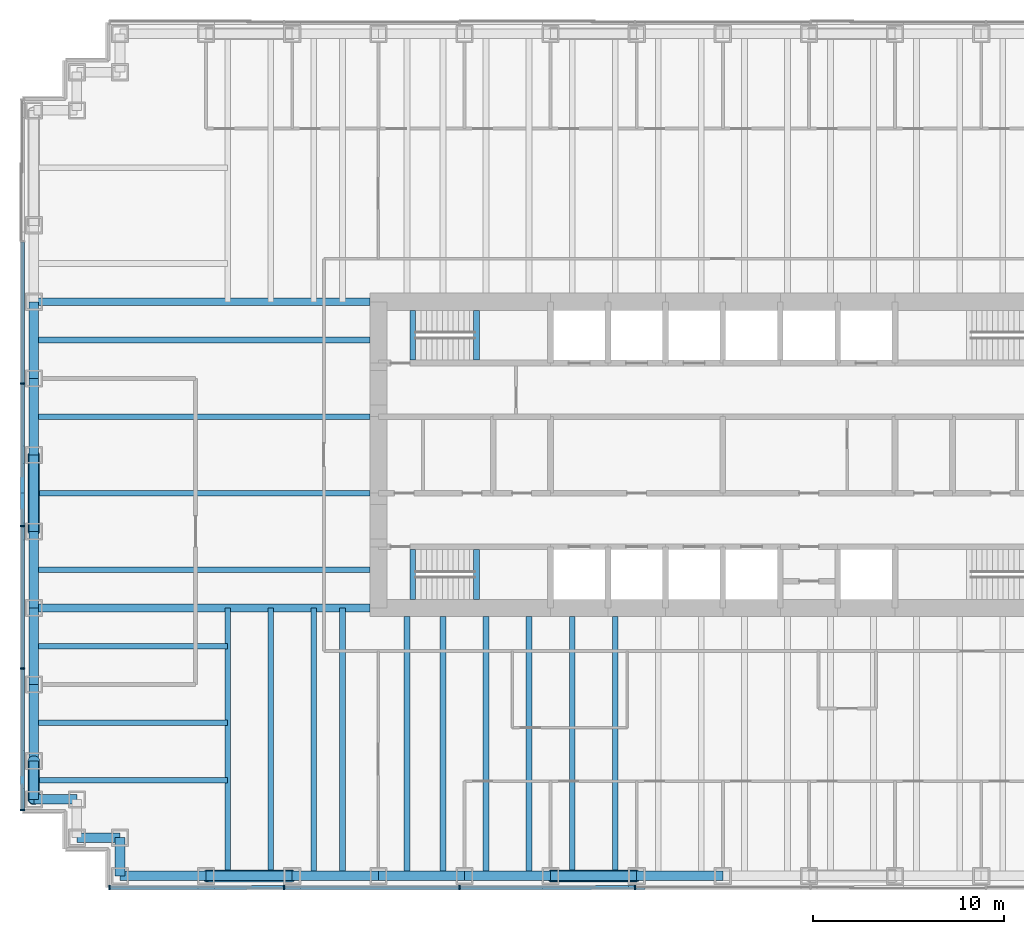
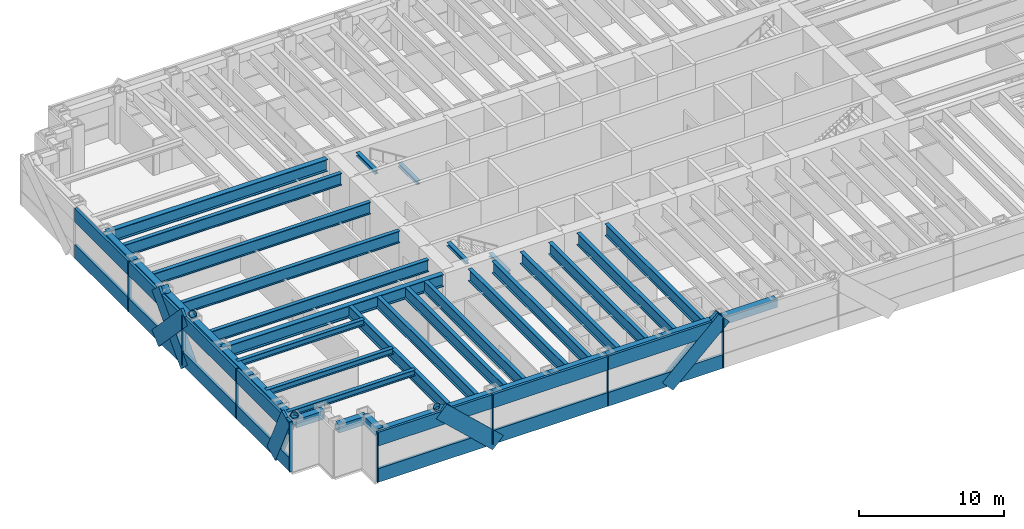
# One storey, part 2 of 16: 40 beams, 32 members, 2 elements without a shape of their own.
"""IFC4 building model written with IfcOpenShell, lengths in metres."""

from ifc_helpers import new_model, si_unit, direction, frame, origin, origin_2d, place, context, subcontext, project, spatial, rectangle, hollow_rectangle, hollow_circle, i_section, extrude, material, material_profile, profile_set, type_object, element, aggregate, save


model = new_model("IFC4")

# Units and contexts
model_context = context("Model", 3, precision=1e-05, world=origin(), true_north=direction((0.0, 1.0)))
body_context = subcontext(model_context, "Body", "Model", "MODEL_VIEW")
ifc_project = project(units=[si_unit("LENGTHUNIT", "METRE"), si_unit("AREAUNIT", "SQUARE_METRE"), si_unit("VOLUMEUNIT", "CUBIC_METRE"), si_unit("PLANEANGLEUNIT", "RADIAN"), si_unit("MASSUNIT", "GRAM", prefix="KILO")], contexts=[model_context])

# Site, building, storey
site_placement = place(None, origin())
site = spatial("IfcSite", under=ifc_project, at=site_placement, CompositionType="ELEMENT")
building_placement = place(site_placement, origin())
building = spatial("IfcBuilding", under=site, at=building_placement, Name="Rheinbord Bourse Tower", CompositionType="ELEMENT")
storey_placement = place(building_placement, frame((0.0, 0.0, 176.10009765625)))
storey = spatial("IfcBuildingStorey", under=building, at=storey_placement, Name="L39", CompositionType="ELEMENT", Elevation=176.10009765625)

# Beams
ifc_material_1 = material(Name="Steel S460M", Category="steel")
ifc_material_profile_1 = material_profile(ifc_material_1, hollow_rectangle(XDim=0.5, YDim=0.699951171875, WallThickness=0.0400390625, at=origin_2d()), Name="BOX 700x500x40")
ifc_profile_set_1 = profile_set([ifc_material_profile_1], Name="Steel S460M")
beam_type_1 = type_object("IfcBeamType", Name="BELT CHORD BOX 700x500x40", PredefinedType="SPANDREL", material=ifc_profile_set_1)
for number, where, z_axis, x_axis, name in (
    (1, (4.5, 2.0, 3.599853515625), (1.0, 0.0, 0.0), (0.0, 1.0, 0.0), "Spandrel SW-E-S-9 under L40"),
    (2, (9.0, 2.0, 3.599853515625), (1.0, 0.0, 0.0), (0.0, 1.0, 0.0), "Spandrel S-9-S-13.5 under L40"),
    (3, (13.5, 2.0, 3.599853515625), (1.0, 0.0, 0.0), (0.0, 1.0, 0.0), "Spandrel S-13.5-S-18 under L40"),
    (4, (18.0, 2.0, 3.599853515625), (1.0, 0.0, 0.0), (0.0, 1.0, 0.0), "Spandrel S-18-S-22.5 under L40"),
    (5, (22.5, 2.0, 3.599853515625), (1.0, 0.0, 0.0), (0.0, 1.0, 0.0), "Spandrel S-22.5-S-27 under L40"),
    (6, (27.0, 2.0, 3.599853515625), (1.0, 0.0, 0.0), (0.0, 1.0, 0.0), "Spandrel S-27-S-31.5 under L40"),
    (7, (31.5, 2.0, 3.599853515625), (1.0, 0.0, 0.0), (0.0, 1.0, 0.0), "Spandrel S-31.5-S-36 under L40"),
):
    element("IfcBeam", number, at=place(storey_placement, frame(where, z_axis=z_axis, x_axis=x_axis)), inside=storey, type_object=beam_type_1, Name=name, PredefinedType="SPANDREL", context=body_context, shape_type="SweptSolid", body=[
        extrude(hollow_rectangle(XDim=0.5, YDim=0.699951171875, WallThickness=0.0400390625, at=origin_2d()), origin(), (0.0, 0.0, 1.0), 4.5),
    ])
for number, where, z_axis, x_axis, name in (
    (8, (0.0, 32.0, 3.599853515625), (0.0, -1.0, 0.0), (1.0, 0.0, 0.0), "Spandrel W-32-W-28 under L40"),
    (9, (0.0, 28.0, 3.599853515625), (0.0, -1.0, 0.0), (1.0, 0.0, 0.0), "Spandrel W-28-W-24 under L40"),
    (10, (0.0, 24.0, 3.599853515625), (0.0, -1.0, 0.0), (1.0, 0.0, 0.0), "Spandrel W-24-W-20 under L40"),
    (11, (0.0, 20.0, 3.599853515625), (0.0, -1.0, 0.0), (1.0, 0.0, 0.0), "Spandrel W-20-W-16 under L40"),
    (12, (0.0, 16.0, 3.599853515625), (0.0, -1.0, 0.0), (1.0, 0.0, 0.0), "Spandrel W-16-W-12 under L40"),
    (13, (0.0, 12.0, 3.599853515625), (0.0, -1.0, 0.0), (1.0, 0.0, 0.0), "Spandrel W-12-W-8 under L40"),
):
    element("IfcBeam", number, at=place(storey_placement, frame(where, z_axis=z_axis, x_axis=x_axis)), inside=storey, type_object=beam_type_1, Name=name, PredefinedType="SPANDREL", context=body_context, shape_type="SweptSolid", body=[
        extrude(hollow_rectangle(XDim=0.5, YDim=0.699951171875, WallThickness=0.0400390625, at=origin_2d()), origin(), (0.0, 0.0, 1.0), 4.0),
    ])
beam_1_placement = place(storey_placement, frame((0.0, 8.0, 3.599853515625), z_axis=(0.0, -1.0, 0.0), x_axis=(1.0, 0.0, 0.0)))
element("IfcBeam", 14, at=beam_1_placement, inside=storey, type_object=beam_type_1, Name="Spandrel W-8-SW-A under L40", PredefinedType="SPANDREL", context=body_context, shape_type="SweptSolid", body=[
    extrude(hollow_rectangle(XDim=0.5, YDim=0.699951171875, WallThickness=0.0400390625, at=origin_2d()), origin(), (0.0, 0.0, 1.0), 2.0),
])
for number, where, z_axis, x_axis, name in (
    (15, (0.0, 6.0, 3.599853515625), (1.0, 0.0, 0.0), (0.0, 1.0, 0.0), "Spandrel SW-A-SW-B under L40"),
    (16, (2.25, 4.0, 3.599853515625), (1.0, 0.0, 0.0), (0.0, 1.0, 0.0), "Spandrel SW-C-SW-D under L40"),
):
    element("IfcBeam", number, at=place(storey_placement, frame(where, z_axis=z_axis, x_axis=x_axis)), inside=storey, type_object=beam_type_1, Name=name, PredefinedType="SPANDREL", context=body_context, shape_type="SweptSolid", body=[
        extrude(hollow_rectangle(XDim=0.5, YDim=0.699951171875, WallThickness=0.0400390625, at=origin_2d()), origin(), (0.0, 0.0, 1.0), 2.25),
    ])
beam_2_placement = place(storey_placement, frame((4.5, 4.0, 3.599853515625), z_axis=(0.0, -1.0, 0.0), x_axis=(1.0, 0.0, 0.0)))
element("IfcBeam", 17, at=beam_2_placement, inside=storey, type_object=beam_type_1, Name="Spandrel SW-D-SW-E under L40", PredefinedType="SPANDREL", context=body_context, shape_type="SweptSolid", body=[
    extrude(hollow_rectangle(XDim=0.5, YDim=0.699951171875, WallThickness=0.0400390625, at=origin_2d()), origin(), (0.0, 0.0, 1.0), 2.0),
])

# Curtain wall, members
ifc_material_2 = material(Name="Dark glass and black aluminium", Category="aluminium")
curtain_wall_type = type_object("IfcCurtainWallType", Name="CW5 DARK GLASS CURTAIN WALL", PredefinedType="USERDEFINED", material=ifc_material_2)
curtain_wall_1_placement = place(storey_placement, origin())
curtain_wall_1 = element("IfcCurtainWall", 18, at=curtain_wall_1_placement, inside=storey, type_object=curtain_wall_type, Name="Curtain wall CW5 S L39", ObjectType="UNITISED CURTAIN WALL", PredefinedType="USERDEFINED")
ifc_material_3 = material(Name="Black anodised aluminium", Category="aluminium")
ifc_material_profile_2 = material_profile(ifc_material_3, rectangle(XDim=0.199951171875, YDim=1.259033203125, at=origin_2d()), Name="CW5 DIAGONAL MULLION 1259x200")
ifc_profile_set_2 = profile_set([ifc_material_profile_2], Name="Black anodised aluminium")
member_type_1 = type_object("IfcMemberType", Name="CW5 BLACK DIAGONAL MULLION", PredefinedType="USERDEFINED", material=ifc_profile_set_2)
member_1_placement = place(storey_placement, frame((13.5, 1.39990234375, 0.0), z_axis=(-0.73105922506, 0.0, 0.682314010889), x_axis=(0.0, -1.0, 0.0)))
member_1 = element("IfcMember", 19, at=member_1_placement, type_object=member_type_1, Name="CW5 diagonal mullion b", ObjectType="DIAGONAL MULLION", PredefinedType="USERDEFINED", context=body_context, shape_type="SweptSolid", body=[
    extrude(rectangle(XDim=0.199951171875, YDim=1.259033203125, at=origin_2d()), origin(), (0.0, 0.0, 1.0), 6.155517578125),
])
member_2_placement = place(storey_placement, frame((27.0, 1.39990234375, 0.0), z_axis=(0.73105922506, 0.0, 0.682314010889), x_axis=(0.0, 1.0, 0.0)))
member_2 = element("IfcMember", 20, at=member_2_placement, type_object=member_type_1, Name="CW5 diagonal mullion d", ObjectType="DIAGONAL MULLION", PredefinedType="USERDEFINED", context=body_context, shape_type="SweptSolid", body=[
    extrude(rectangle(XDim=0.199951171875, YDim=1.259033203125, at=origin_2d()), origin(), (0.0, 0.0, 1.0), 6.155517578125),
])

curtain_wall_2_placement = place(storey_placement, origin())
curtain_wall_2 = element("IfcCurtainWall", 21, at=curtain_wall_2_placement, inside=storey, type_object=curtain_wall_type, Name="Curtain wall CW5 W L39", ObjectType="UNITISED CURTAIN WALL", PredefinedType="USERDEFINED")
member_3_placement = place(storey_placement, frame((-0.60009765625, 20.0, 0.0), z_axis=(0.0, 0.689659376744, 0.724133926887), x_axis=(-1.0, 0.0, 0.0)))
member_3 = element("IfcMember", 22, at=member_3_placement, type_object=member_type_1, Name="CW5 diagonal mullion a", ObjectType="DIAGONAL MULLION", PredefinedType="USERDEFINED", context=body_context, shape_type="SweptSolid", body=[
    extrude(rectangle(XDim=0.199951171875, YDim=1.259033203125, at=origin_2d()), origin(), (0.0, 0.0, 1.0), 5.800048828125),
])
member_4_placement = place(storey_placement, frame((-0.60009765625, 24.0, 0.0), z_axis=(0.0, -0.689659376744, 0.724133926887), x_axis=(1.0, 0.0, 0.0)))
member_4 = element("IfcMember", 23, at=member_4_placement, type_object=member_type_1, Name="CW5 diagonal mullion b", ObjectType="DIAGONAL MULLION", PredefinedType="USERDEFINED", context=body_context, shape_type="SweptSolid", body=[
    extrude(rectangle(XDim=0.199951171875, YDim=1.259033203125, at=origin_2d()), origin(), (0.0, 0.0, 1.0), 5.800048828125),
])
member_5_placement = place(storey_placement, frame((-0.60009765625, 8.0, 0.0), z_axis=(0.0, -0.429937654825, 0.902858578607), x_axis=(1.0, 0.0, 0.0)))
member_5 = element("IfcMember", 24, at=member_5_placement, type_object=member_type_1, Name="CW5 diagonal mullion d", ObjectType="DIAGONAL MULLION", PredefinedType="USERDEFINED", context=body_context, shape_type="SweptSolid", body=[
    extrude(rectangle(XDim=0.199951171875, YDim=1.259033203125, at=origin_2d()), origin(), (0.0, 0.0, 1.0), 4.65185546875),
])

# Member
ifc_material_4 = material(Name="Black anodised aluminium", Category="aluminium")
ifc_material_profile_3 = material_profile(ifc_material_4, rectangle(XDim=0.25, YDim=0.080078125, at=origin_2d()), Name="CW5 MULLION 80x250")
ifc_profile_set_3 = profile_set([ifc_material_profile_3], Name="Black anodised aluminium")
member_type_2 = type_object("IfcMemberType", Name="CW5 BLACK MULLION", PredefinedType="MULLION", material=ifc_profile_set_3)
member_6_placement = place(storey_placement, frame((3.93994140625, 1.39990234375, 0.0), z_axis=(0.0, 0.0, 1.0), x_axis=(0.0, 1.0, 0.0)))
member_6 = element("IfcMember", 25, at=member_6_placement, type_object=member_type_2, Name="CW5 mullion 1", PredefinedType="MULLION", context=body_context, shape_type="SweptSolid", body=[
    extrude(rectangle(XDim=0.25, YDim=0.080078125, at=origin_2d()), origin(), (0.0, 0.0, 1.0), 4.199951171875),
])

member_7_placement = place(storey_placement, frame((13.071533203125, 1.39990234375, 0.0), z_axis=(0.0, 0.0, 1.0), x_axis=(0.0, 1.0, 0.0)))
member_7 = element("IfcMember", 26, at=member_7_placement, type_object=member_type_2, Name="CW5 mullion 2", PredefinedType="MULLION", context=body_context, shape_type="SweptSolid", body=[
    extrude(rectangle(XDim=0.25, YDim=0.080078125, at=origin_2d()), origin(), (0.0, 0.0, 1.0), 4.199951171875),
])

member_8_placement = place(storey_placement, frame((22.242919921875, 1.39990234375, 0.0), z_axis=(0.0, 0.0, 1.0), x_axis=(0.0, 1.0, 0.0)))
member_8 = element("IfcMember", 27, at=member_8_placement, type_object=member_type_2, Name="CW5 mullion 3", PredefinedType="MULLION", context=body_context, shape_type="SweptSolid", body=[
    extrude(rectangle(XDim=0.25, YDim=0.080078125, at=origin_2d()), origin(), (0.0, 0.0, 1.0), 4.199951171875),
])

member_9_placement = place(storey_placement, frame((31.414306640625, 1.39990234375, 0.0), z_axis=(0.0, 0.0, 1.0), x_axis=(0.0, 1.0, 0.0)))
member_9 = element("IfcMember", 28, at=member_9_placement, type_object=member_type_2, Name="CW5 mullion 4", PredefinedType="MULLION", context=body_context, shape_type="SweptSolid", body=[
    extrude(rectangle(XDim=0.25, YDim=0.080078125, at=origin_2d()), origin(), (0.0, 0.0, 1.0), 4.199951171875),
])

member_10_placement = place(storey_placement, frame((-0.60009765625, 27.719970703125, 0.0), z_axis=(0.0, 0.0, 1.0), x_axis=(1.0, 0.0, 0.0)))
member_10 = element("IfcMember", 29, at=member_10_placement, type_object=member_type_2, Name="CW5 mullion 3", PredefinedType="MULLION", context=body_context, shape_type="SweptSolid", body=[
    extrude(rectangle(XDim=0.25, YDim=0.080078125, at=origin_2d()), origin(), (0.0, 0.0, 1.0), 4.199951171875),
])

member_11_placement = place(storey_placement, frame((-0.60009765625, 20.280029296875, 0.0), z_axis=(0.0, 0.0, 1.0), x_axis=(1.0, 0.0, 0.0)))
member_11 = element("IfcMember", 30, at=member_11_placement, type_object=member_type_2, Name="CW5 mullion 4", PredefinedType="MULLION", context=body_context, shape_type="SweptSolid", body=[
    extrude(rectangle(XDim=0.25, YDim=0.080078125, at=origin_2d()), origin(), (0.0, 0.0, 1.0), 4.199951171875),
])

member_12_placement = place(storey_placement, frame((-0.60009765625, 12.840087890625, 0.0), z_axis=(0.0, 0.0, 1.0), x_axis=(1.0, 0.0, 0.0)))
member_12 = element("IfcMember", 31, at=member_12_placement, type_object=member_type_2, Name="CW5 mullion 5", PredefinedType="MULLION", context=body_context, shape_type="SweptSolid", body=[
    extrude(rectangle(XDim=0.25, YDim=0.080078125, at=origin_2d()), origin(), (0.0, 0.0, 1.0), 4.199951171875),
])

member_13_placement = place(storey_placement, frame((-0.60009765625, 5.43994140625, 0.0), z_axis=(0.0, 0.0, 1.0), x_axis=(1.0, 0.0, 0.0)))
member_13 = element("IfcMember", 32, at=member_13_placement, type_object=member_type_2, Name="CW5 mullion 6", PredefinedType="MULLION", context=body_context, shape_type="SweptSolid", body=[
    extrude(rectangle(XDim=0.25, YDim=0.080078125, at=origin_2d()), origin(), (0.0, 0.0, 1.0), 4.199951171875),
])

ifc_material_5 = material(Name="Black anodised aluminium", Category="aluminium")
ifc_material_profile_4 = material_profile(ifc_material_5, rectangle(XDim=0.199951171875, YDim=1.14990234375, at=origin_2d()), Name="CW5 TRANSOM 1150x200")
ifc_profile_set_4 = profile_set([ifc_material_profile_4], Name="Black anodised aluminium")
member_type_3 = type_object("IfcMemberType", Name="CW5 BLACK TRANSOM", PredefinedType="USERDEFINED", material=ifc_profile_set_4)
member_14_placement = place(storey_placement, frame((3.97998046875, 1.39990234375, 0.574951171875), z_axis=(1.0, 0.0, 0.0), x_axis=(0.0, 1.0, 0.0)))
member_14 = element("IfcMember", 33, at=member_14_placement, type_object=member_type_3, Name="CW5 transom 1.1", ObjectType="TRANSOM", PredefinedType="USERDEFINED", context=body_context, shape_type="SweptSolid", body=[
    extrude(rectangle(XDim=0.199951171875, YDim=1.14990234375, at=origin_2d()), origin(), (0.0, 0.0, 1.0), 9.051513671875),
])

member_15_placement = place(storey_placement, frame((3.97998046875, 1.39990234375, 3.625), z_axis=(1.0, 0.0, 0.0), x_axis=(0.0, 1.0, 0.0)))
member_15 = element("IfcMember", 34, at=member_15_placement, type_object=member_type_3, Name="CW5 transom 1.2", ObjectType="TRANSOM", PredefinedType="USERDEFINED", context=body_context, shape_type="SweptSolid", body=[
    extrude(rectangle(XDim=0.199951171875, YDim=1.14990234375, at=origin_2d()), origin(), (0.0, 0.0, 1.0), 9.051513671875),
])

member_16_placement = place(storey_placement, frame((13.111328125, 1.39990234375, 0.574951171875), z_axis=(1.0, 0.0, 0.0), x_axis=(0.0, 1.0, 0.0)))
member_16 = element("IfcMember", 35, at=member_16_placement, type_object=member_type_3, Name="CW5 transom 2.1", ObjectType="TRANSOM", PredefinedType="USERDEFINED", context=body_context, shape_type="SweptSolid", body=[
    extrude(rectangle(XDim=0.199951171875, YDim=1.14990234375, at=origin_2d()), origin(), (0.0, 0.0, 1.0), 9.091552734375),
])

member_17_placement = place(storey_placement, frame((13.111328125, 1.39990234375, 3.625), z_axis=(1.0, 0.0, 0.0), x_axis=(0.0, 1.0, 0.0)))
member_17 = element("IfcMember", 36, at=member_17_placement, type_object=member_type_3, Name="CW5 transom 2.2", ObjectType="TRANSOM", PredefinedType="USERDEFINED", context=body_context, shape_type="SweptSolid", body=[
    extrude(rectangle(XDim=0.199951171875, YDim=1.14990234375, at=origin_2d()), origin(), (0.0, 0.0, 1.0), 9.091552734375),
])

member_18_placement = place(storey_placement, frame((22.282958984375, 1.39990234375, 0.574951171875), z_axis=(1.0, 0.0, 0.0), x_axis=(0.0, 1.0, 0.0)))
member_18 = element("IfcMember", 37, at=member_18_placement, type_object=member_type_3, Name="CW5 transom 3.1", ObjectType="TRANSOM", PredefinedType="USERDEFINED", context=body_context, shape_type="SweptSolid", body=[
    extrude(rectangle(XDim=0.199951171875, YDim=1.14990234375, at=origin_2d()), origin(), (0.0, 0.0, 1.0), 9.09130859375),
])

member_19_placement = place(storey_placement, frame((22.282958984375, 1.39990234375, 3.625), z_axis=(1.0, 0.0, 0.0), x_axis=(0.0, 1.0, 0.0)))
member_19 = element("IfcMember", 38, at=member_19_placement, type_object=member_type_3, Name="CW5 transom 3.2", ObjectType="TRANSOM", PredefinedType="USERDEFINED", context=body_context, shape_type="SweptSolid", body=[
    extrude(rectangle(XDim=0.199951171875, YDim=1.14990234375, at=origin_2d()), origin(), (0.0, 0.0, 1.0), 9.09130859375),
])

aggregate(curtain_wall_1, [member_6, member_7, member_8, member_9, member_14, member_15, member_16, member_17, member_18, member_19, member_1, member_2])

member_20_placement = place(storey_placement, frame((-0.60009765625, 35.1201171875, 0.574951171875), z_axis=(0.0, -1.0, 0.0), x_axis=(1.0, 0.0, 0.0)))
member_20 = element("IfcMember", 39, at=member_20_placement, type_object=member_type_3, Name="CW5 transom 2.1", ObjectType="TRANSOM", PredefinedType="USERDEFINED", context=body_context, shape_type="SweptSolid", body=[
    extrude(rectangle(XDim=0.199951171875, YDim=1.14990234375, at=origin_2d()), origin(), (0.0, 0.0, 1.0), 7.360107421875),
])

member_21_placement = place(storey_placement, frame((-0.60009765625, 35.1201171875, 3.625), z_axis=(0.0, -1.0, 0.0), x_axis=(1.0, 0.0, 0.0)))
member_21 = element("IfcMember", 40, at=member_21_placement, type_object=member_type_3, Name="CW5 transom 2.2", ObjectType="TRANSOM", PredefinedType="USERDEFINED", context=body_context, shape_type="SweptSolid", body=[
    extrude(rectangle(XDim=0.199951171875, YDim=1.14990234375, at=origin_2d()), origin(), (0.0, 0.0, 1.0), 7.360107421875),
])

member_22_placement = place(storey_placement, frame((-0.60009765625, 27.679931640625, 0.574951171875), z_axis=(0.0, -1.0, 0.0), x_axis=(1.0, 0.0, 0.0)))
member_22 = element("IfcMember", 41, at=member_22_placement, type_object=member_type_3, Name="CW5 transom 3.1", ObjectType="TRANSOM", PredefinedType="USERDEFINED", context=body_context, shape_type="SweptSolid", body=[
    extrude(rectangle(XDim=0.199951171875, YDim=1.14990234375, at=origin_2d()), origin(), (0.0, 0.0, 1.0), 7.35986328125),
])

member_23_placement = place(storey_placement, frame((-0.60009765625, 27.679931640625, 3.625), z_axis=(0.0, -1.0, 0.0), x_axis=(1.0, 0.0, 0.0)))
member_23 = element("IfcMember", 42, at=member_23_placement, type_object=member_type_3, Name="CW5 transom 3.2", ObjectType="TRANSOM", PredefinedType="USERDEFINED", context=body_context, shape_type="SweptSolid", body=[
    extrude(rectangle(XDim=0.199951171875, YDim=1.14990234375, at=origin_2d()), origin(), (0.0, 0.0, 1.0), 7.35986328125),
])

member_24_placement = place(storey_placement, frame((-0.60009765625, 20.239990234375, 0.574951171875), z_axis=(0.0, -1.0, 0.0), x_axis=(1.0, 0.0, 0.0)))
member_24 = element("IfcMember", 43, at=member_24_placement, type_object=member_type_3, Name="CW5 transom 4.1", ObjectType="TRANSOM", PredefinedType="USERDEFINED", context=body_context, shape_type="SweptSolid", body=[
    extrude(rectangle(XDim=0.199951171875, YDim=1.14990234375, at=origin_2d()), origin(), (0.0, 0.0, 1.0), 7.360107421875),
])

member_25_placement = place(storey_placement, frame((-0.60009765625, 20.239990234375, 3.625), z_axis=(0.0, -1.0, 0.0), x_axis=(1.0, 0.0, 0.0)))
member_25 = element("IfcMember", 44, at=member_25_placement, type_object=member_type_3, Name="CW5 transom 4.2", ObjectType="TRANSOM", PredefinedType="USERDEFINED", context=body_context, shape_type="SweptSolid", body=[
    extrude(rectangle(XDim=0.199951171875, YDim=1.14990234375, at=origin_2d()), origin(), (0.0, 0.0, 1.0), 7.360107421875),
])

member_26_placement = place(storey_placement, frame((-0.60009765625, 12.800048828125, 0.574951171875), z_axis=(0.0, -1.0, 0.0), x_axis=(1.0, 0.0, 0.0)))
member_26 = element("IfcMember", 45, at=member_26_placement, type_object=member_type_3, Name="CW5 transom 5.1", ObjectType="TRANSOM", PredefinedType="USERDEFINED", context=body_context, shape_type="SweptSolid", body=[
    extrude(rectangle(XDim=0.199951171875, YDim=1.14990234375, at=origin_2d()), origin(), (0.0, 0.0, 1.0), 7.320068359375),
])

member_27_placement = place(storey_placement, frame((-0.60009765625, 12.800048828125, 3.625), z_axis=(0.0, -1.0, 0.0), x_axis=(1.0, 0.0, 0.0)))
member_27 = element("IfcMember", 46, at=member_27_placement, type_object=member_type_3, Name="CW5 transom 5.2", ObjectType="TRANSOM", PredefinedType="USERDEFINED", context=body_context, shape_type="SweptSolid", body=[
    extrude(rectangle(XDim=0.199951171875, YDim=1.14990234375, at=origin_2d()), origin(), (0.0, 0.0, 1.0), 7.320068359375),
])

aggregate(curtain_wall_2, [member_10, member_11, member_12, member_13, member_20, member_21, member_22, member_23, member_24, member_25, member_26, member_27, member_3, member_4, member_5])

# Beams
ifc_material_6 = material(Name="Steel S460", Category="steel")
ifc_material_profile_5 = material_profile(ifc_material_6, i_section(OverallWidth=0.302001953125, OverallDepth=1.008056640625, WebThickness=0.02099609375, FlangeThickness=0.0400390625, at=origin_2d()), Name="HEM 1000")
ifc_profile_set_5 = profile_set([ifc_material_profile_5], Name="Steel S460")
beam_type_2 = type_object("IfcBeamType", Name="END BEAM HEM 1000", PredefinedType="BEAM", material=ifc_profile_set_5)
for number, where, z_axis, x_axis, name in (
    (47, (0.0, 18.0, 3.44580078125), (1.0, 0.0, 0.0), (0.0, 1.0, 0.0), "End beam west 18 L40"),
    (48, (0.0, 22.0, 3.44580078125), (1.0, 0.0, 0.0), (0.0, 1.0, 0.0), "End beam west 22 L40"),
    (49, (0.0, 26.0, 3.44580078125), (1.0, 0.0, 0.0), (0.0, 1.0, 0.0), "End beam west 26 L40"),
    (50, (0.0, 30.0, 3.44580078125), (1.0, 0.0, 0.0), (0.0, 1.0, 0.0), "End beam west 30 L40"),
):
    element("IfcBeam", number, at=place(storey_placement, frame(where, z_axis=z_axis, x_axis=x_axis)), inside=storey, type_object=beam_type_2, Name=name, PredefinedType="BEAM", context=body_context, shape_type="SweptSolid", body=[
        extrude(i_section(OverallWidth=0.302001953125, OverallDepth=1.008056640625, WebThickness=0.02099609375, FlangeThickness=0.0400390625, at=origin_2d()), origin(), (0.0, 0.0, 1.0), 17.550048828125),
    ])
ifc_material_7 = material(Name="Steel S460", Category="steel")
ifc_material_profile_6 = material_profile(ifc_material_7, i_section(OverallWidth=0.302001953125, OverallDepth=1.008056640625, WebThickness=0.02099609375, FlangeThickness=0.0400390625, at=origin_2d()), Name="HEM 1000")
ifc_profile_set_6 = profile_set([ifc_material_profile_6], Name="Steel S460")
beam_type_3 = type_object("IfcBeamType", Name="FLOOR BEAM HEM 1000", PredefinedType="BEAM", material=ifc_profile_set_6)
for number, where, z_axis, x_axis, name in (
    (51, (10.125, 2.0, 3.44580078125), (0.0, 1.0, 0.0), (-1.0, 0.0, 0.0), "Floor beam S-9a L40"),
    (52, (12.375, 2.0, 3.44580078125), (0.0, 1.0, 0.0), (-1.0, 0.0, 0.0), "Floor beam S-9b L40"),
    (53, (14.625, 2.0, 3.44580078125), (0.0, 1.0, 0.0), (-1.0, 0.0, 0.0), "Floor beam S-13.5a L40"),
    (54, (16.125, 2.0, 3.44580078125), (0.0, 1.0, 0.0), (-1.0, 0.0, 0.0), "Floor beam S-13.5b L40"),
):
    element("IfcBeam", number, at=place(storey_placement, frame(where, z_axis=z_axis, x_axis=x_axis)), inside=storey, type_object=beam_type_3, Name=name, PredefinedType="BEAM", context=body_context, shape_type="SweptSolid", body=[
        extrude(i_section(OverallWidth=0.302001953125, OverallDepth=1.008056640625, WebThickness=0.02099609375, FlangeThickness=0.0400390625, at=origin_2d()), origin(), (0.0, 0.0, 1.0), 14.0),
    ])
for number, where, z_axis, x_axis, name in (
    (55, (19.5, 2.0, 3.44580078125), (0.0, 1.0, 0.0), (-1.0, 0.0, 0.0), "Floor beam S-18a L40"),
    (56, (21.375, 2.0, 3.44580078125), (0.0, 1.0, 0.0), (-1.0, 0.0, 0.0), "Floor beam S-18b L40"),
    (57, (23.625, 2.0, 3.44580078125), (0.0, 1.0, 0.0), (-1.0, 0.0, 0.0), "Floor beam S-22.5a L40"),
    (58, (25.875, 2.0, 3.44580078125), (0.0, 1.0, 0.0), (-1.0, 0.0, 0.0), "Floor beam S-22.5b L40"),
    (59, (28.125, 2.0, 3.44580078125), (0.0, 1.0, 0.0), (-1.0, 0.0, 0.0), "Floor beam S-27a L40"),
    (60, (30.375, 2.0, 3.44580078125), (0.0, 1.0, 0.0), (-1.0, 0.0, 0.0), "Floor beam S-27b L40"),
):
    element("IfcBeam", number, at=place(storey_placement, frame(where, z_axis=z_axis, x_axis=x_axis)), inside=storey, type_object=beam_type_3, Name=name, PredefinedType="BEAM", context=body_context, shape_type="SweptSolid", body=[
        extrude(i_section(OverallWidth=0.302001953125, OverallDepth=1.008056640625, WebThickness=0.02099609375, FlangeThickness=0.0400390625, at=origin_2d()), origin(), (0.0, 0.0, 1.0), 13.550048828125),
    ])
ifc_material_8 = material(Name="Steel S460", Category="steel")
ifc_material_profile_7 = material_profile(ifc_material_8, i_section(OverallWidth=0.404052734375, OverallDepth=1.02001953125, WebThickness=0.025390625, FlangeThickness=0.0458984375, at=origin_2d()), Name="HL 1000 x 483")
ifc_profile_set_7 = profile_set([ifc_material_profile_7], Name="Steel S460")
beam_type_4 = type_object("IfcBeamType", Name="GIRDER HL 1000 x 483", PredefinedType="BEAM", material=ifc_profile_set_7)
for number, where, z_axis, x_axis, name in (
    (61, (0.0, 16.0, 3.43994140625), (1.0, 0.0, 0.0), (0.0, 1.0, 0.0), "Girder west 16 L40"),
    (62, (0.0, 32.0, 3.43994140625), (1.0, 0.0, 0.0), (0.0, 1.0, 0.0), "Girder west 32 L40"),
):
    element("IfcBeam", number, at=place(storey_placement, frame(where, z_axis=z_axis, x_axis=x_axis)), inside=storey, type_object=beam_type_4, Name=name, PredefinedType="BEAM", context=body_context, shape_type="SweptSolid", body=[
        extrude(i_section(OverallWidth=0.404052734375, OverallDepth=1.02001953125, WebThickness=0.025390625, FlangeThickness=0.0458984375, at=origin_2d()), origin(), (0.0, 0.0, 1.0), 17.550048828125),
    ])
ifc_material_9 = material(Name="Steel S460", Category="steel")
ifc_material_profile_8 = material_profile(ifc_material_9, i_section(OverallWidth=0.300048828125, OverallDepth=0.300048828125, WebThickness=0.010986328125, FlangeThickness=0.01904296875, at=origin_2d()), Name="HEB 300")
ifc_profile_set_8 = profile_set([ifc_material_profile_8], Name="Steel S460")
beam_type_5 = type_object("IfcBeamType", Name="LANDING TRIMMER HEB 300", PredefinedType="BEAM", material=ifc_profile_set_8)
for number, where, z_axis, x_axis, name in (
    (63, (23.1298828125, 16.449951171875, 1.75), (0.0, 1.0, 0.0), (-1.0, 0.0, 0.0), "Landing trimmer ST1 L39"),
    (64, (19.800048828125, 16.449951171875, 3.7998046875), (0.0, 1.0, 0.0), (-1.0, 0.0, 0.0), "Well trimmer ST1 under L40"),
    (65, (23.1298828125, 28.949951171875, 1.75), (0.0, 1.0, 0.0), (-1.0, 0.0, 0.0), "Landing trimmer ST2 L39"),
    (66, (19.800048828125, 28.949951171875, 3.7998046875), (0.0, 1.0, 0.0), (-1.0, 0.0, 0.0), "Well trimmer ST2 under L40"),
):
    element("IfcBeam", number, at=place(storey_placement, frame(where, z_axis=z_axis, x_axis=x_axis)), inside=storey, type_object=beam_type_5, Name=name, PredefinedType="BEAM", context=body_context, shape_type="SweptSolid", body=[
        extrude(i_section(OverallWidth=0.300048828125, OverallDepth=0.300048828125, WebThickness=0.010986328125, FlangeThickness=0.01904296875, at=origin_2d()), origin(), (0.0, 0.0, 1.0), 2.60009765625),
    ])

# Members
ifc_material_10 = material(Name="Steel S460", Category="steel")
ifc_material_profile_9 = material_profile(ifc_material_10, hollow_circle(Radius=0.304931640625, WallThickness=0.0400390625, at=origin_2d()), Name="CHS 610x40")
ifc_profile_set_9 = profile_set([ifc_material_profile_9], Name="Steel S460")
member_type_4 = type_object("IfcMemberType", Name="MEGABRACE CHS 610x40", PredefinedType="BRACE", material=ifc_profile_set_9)
for number, where, z_axis, x_axis, name in (
    (67, (13.5, 2.0, 0.0), (-0.73105922506, 0.0, 0.682314010889), (0.0, -1.0, 0.0), "Megabrace S face line b L39"),
    (68, (27.0, 2.0, 0.0), (0.73105922506, 0.0, 0.682314010889), (0.0, 1.0, 0.0), "Megabrace S face line d L39"),
):
    element("IfcMember", number, at=place(storey_placement, frame(where, z_axis=z_axis, x_axis=x_axis)), inside=storey, type_object=member_type_4, Name=name, PredefinedType="BRACE", context=body_context, shape_type="SweptSolid", body=[
        extrude(hollow_circle(Radius=0.304931640625, WallThickness=0.0400390625, at=origin_2d()), origin(), (0.0, 0.0, 1.0), 6.155517578125),
    ])
for number, where, z_axis, x_axis, name in (
    (69, (0.0, 20.0, 0.0), (0.0, 0.689659376744, 0.724133926887), (-1.0, 0.0, 0.0), "Megabrace W face line a L39"),
    (70, (0.0, 24.0, 0.0), (0.0, -0.689659376744, 0.724133926887), (1.0, 0.0, 0.0), "Megabrace W face line b L39"),
):
    element("IfcMember", number, at=place(storey_placement, frame(where, z_axis=z_axis, x_axis=x_axis)), inside=storey, type_object=member_type_4, Name=name, PredefinedType="BRACE", context=body_context, shape_type="SweptSolid", body=[
        extrude(hollow_circle(Radius=0.304931640625, WallThickness=0.0400390625, at=origin_2d()), origin(), (0.0, 0.0, 1.0), 5.800048828125),
    ])
member_28_placement = place(storey_placement, frame((0.0, 8.0, 0.0), z_axis=(0.0, -0.429937654825, 0.902858578607), x_axis=(1.0, 0.0, 0.0)))
element("IfcMember", 71, at=member_28_placement, inside=storey, type_object=member_type_4, Name="Megabrace W face line d L39", PredefinedType="BRACE", context=body_context, shape_type="SweptSolid", body=[
    extrude(hollow_circle(Radius=0.304931640625, WallThickness=0.0400390625, at=origin_2d()), origin(), (0.0, 0.0, 1.0), 4.65185546875),
])

# Beams
ifc_material_11 = material(Name="Steel S460", Category="steel")
ifc_material_profile_10 = material_profile(ifc_material_11, i_section(OverallWidth=0.300048828125, OverallDepth=0.5, WebThickness=0.014404296875, FlangeThickness=0.028076171875, at=origin_2d()), Name="HEB 500")
ifc_profile_set_10 = profile_set([ifc_material_profile_10], Name="Steel S460")
beam_type_6 = type_object("IfcBeamType", Name="TIE BEAM HEB 500", PredefinedType="JOIST", material=ifc_profile_set_10)
for number, where, z_axis, x_axis, name in (
    (72, (0.0, 7.0, 3.699951171875), (1.0, 0.0, 0.0), (0.0, 1.0, 0.0), "Tie west 7 L40"),
    (73, (0.0, 10.0, 3.699951171875), (1.0, 0.0, 0.0), (0.0, 1.0, 0.0), "Tie west 10 L40"),
    (74, (0.0, 14.0, 3.699951171875), (1.0, 0.0, 0.0), (0.0, 1.0, 0.0), "Tie west 14 L40"),
):
    element("IfcBeam", number, at=place(storey_placement, frame(where, z_axis=z_axis, x_axis=x_axis)), inside=storey, type_object=beam_type_6, Name=name, PredefinedType="JOIST", context=body_context, shape_type="SweptSolid", body=[
        extrude(i_section(OverallWidth=0.300048828125, OverallDepth=0.5, WebThickness=0.014404296875, FlangeThickness=0.028076171875, at=origin_2d()), origin(), (0.0, 0.0, 1.0), 10.125),
    ])

save(model, "model.ifc")
